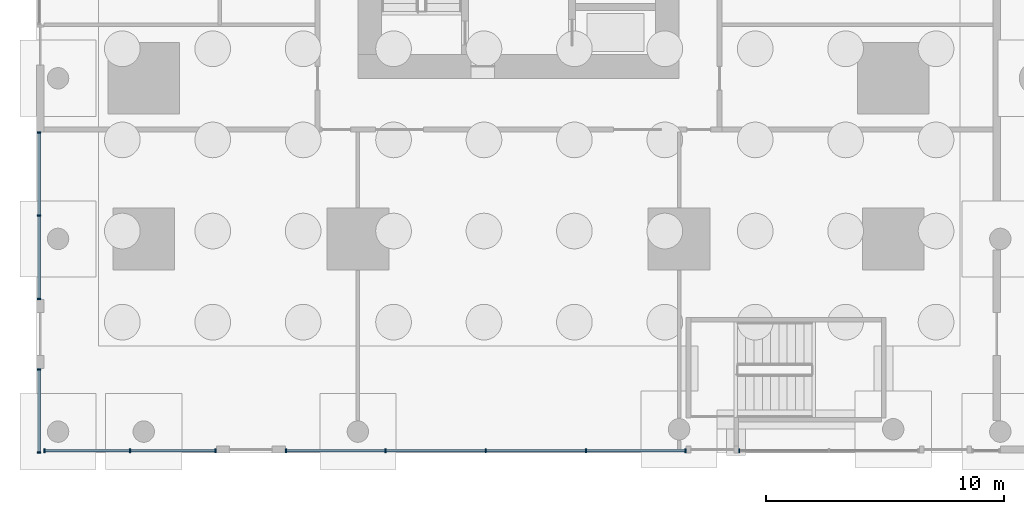
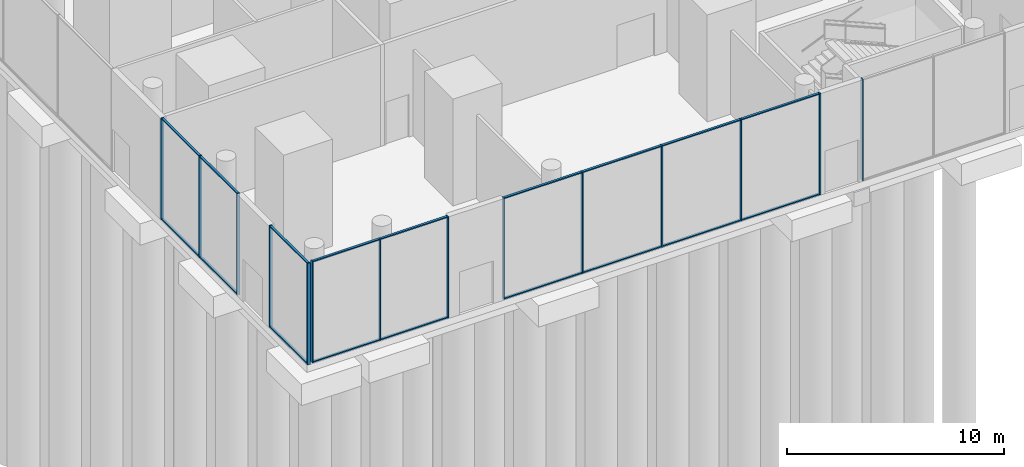
# One storey, part 3 of 31: 32 members, 5 elements without a shape of their own.
"""IFC4 building model written with IfcOpenShell, lengths in metres."""

from ifc_helpers import new_model, si_unit, direction, frame, origin, origin_2d, place, context, subcontext, project, spatial, rectangle, extrude, material, layer, layer_set, material_profile, profile_set, type_object, element, aggregate, save


model = new_model("IFC4")

# Units and contexts
model_context = context("Model", 3, precision=1e-05, world=origin(), true_north=direction((0.0, 1.0)))
body_context = subcontext(model_context, "Body", "Model", "MODEL_VIEW")
ifc_project = project(units=[si_unit("LENGTHUNIT", "METRE"), si_unit("AREAUNIT", "SQUARE_METRE"), si_unit("VOLUMEUNIT", "CUBIC_METRE"), si_unit("PLANEANGLEUNIT", "RADIAN"), si_unit("MASSUNIT", "GRAM", prefix="KILO")], contexts=[model_context])

# Site, building, storey
site_placement = place(None, origin())
site = spatial("IfcSite", under=ifc_project, at=site_placement, CompositionType="ELEMENT")
building_placement = place(site_placement, origin())
building = spatial("IfcBuilding", under=site, at=building_placement, Name="Namib Vertical Campus", CompositionType="ELEMENT")
storey_placement = place(building_placement, origin())
storey = spatial("IfcBuildingStorey", under=building, at=storey_placement, Name="L00", CompositionType="ELEMENT", Elevation=0.0)

# Curtain wall, members
ifc_material_1 = material(Name="Black aluminium curtain wall", Category="aluminium")
ifc_layer = layer(ifc_material_1, 0.199951171875)
ifc_layer_set = layer_set([ifc_layer], Name="Entrance curtain wall CW-EN")
curtain_wall_type = type_object("IfcCurtainWallType", Name="Entrance curtain wall CW-EN", PredefinedType="USERDEFINED", material=ifc_layer_set)
curtain_wall_1_placement = place(storey_placement, origin())
curtain_wall_1 = element("IfcCurtainWall", 1, at=curtain_wall_1_placement, inside=storey, type_object=curtain_wall_type, Name="Curtain wall CW-EN L00 1-1", ObjectType="CURTAIN WALL", PredefinedType="USERDEFINED")
ifc_material_2 = material(Name="Black anodised aluminium", Category="aluminium")
ifc_material_profile_1 = material_profile(ifc_material_2, rectangle(XDim=0.06005859375, YDim=0.159912109375, at=origin_2d()))
ifc_profile_set_1 = profile_set([ifc_material_profile_1], Name="Black anodised aluminium")
member_type_1 = type_object("IfcMemberType", Name="Curtain wall mullion 60x160", PredefinedType="MULLION", material=ifc_profile_set_1)
member_1_placement = place(storey_placement, frame((0.330078125, -4.39990234375, 0.0), z_axis=(0.0, 0.0, 1.0), x_axis=(1.0, 0.0, 0.0)))
member_1 = element("IfcMember", 2, at=member_1_placement, type_object=member_type_1, Name="CW-EN mullion 1", PredefinedType="MULLION", context=body_context, shape_type="SweptSolid", body=[
    extrude(rectangle(XDim=0.06005859375, YDim=0.159912109375, at=origin_2d()), origin(), (0.0, 0.0, 1.0), 5.699951171875),
])
member_2_placement = place(storey_placement, frame((3.925048828125, -4.39990234375, 0.0), z_axis=(0.0, 0.0, 1.0), x_axis=(1.0, 0.0, 0.0)))
member_2 = element("IfcMember", 3, at=member_2_placement, type_object=member_type_1, Name="CW-EN mullion 2", PredefinedType="MULLION", context=body_context, shape_type="SweptSolid", body=[
    extrude(rectangle(XDim=0.06005859375, YDim=0.159912109375, at=origin_2d()), origin(), (0.0, 0.0, 1.0), 5.699951171875),
])
member_3_placement = place(storey_placement, frame((7.52001953125, -4.39990234375, 0.0), z_axis=(0.0, 0.0, 1.0), x_axis=(1.0, 0.0, 0.0)))
member_3 = element("IfcMember", 4, at=member_3_placement, type_object=member_type_1, Name="CW-EN mullion 3", PredefinedType="MULLION", context=body_context, shape_type="SweptSolid", body=[
    extrude(rectangle(XDim=0.06005859375, YDim=0.159912109375, at=origin_2d()), origin(), (0.0, 0.0, 1.0), 5.699951171875),
])

curtain_wall_2_placement = place(storey_placement, origin())
curtain_wall_2 = element("IfcCurtainWall", 5, at=curtain_wall_2_placement, inside=storey, type_object=curtain_wall_type, Name="Curtain wall CW-EN L00 3-1", ObjectType="CURTAIN WALL", PredefinedType="USERDEFINED")
member_4_placement = place(storey_placement, frame((10.47998046875, -4.39990234375, 0.0), z_axis=(0.0, 0.0, 1.0), x_axis=(1.0, 0.0, 0.0)))
member_4 = element("IfcMember", 6, at=member_4_placement, type_object=member_type_1, Name="CW-EN mullion 1", PredefinedType="MULLION", context=body_context, shape_type="SweptSolid", body=[
    extrude(rectangle(XDim=0.06005859375, YDim=0.159912109375, at=origin_2d()), origin(), (0.0, 0.0, 1.0), 5.699951171875),
])
member_5_placement = place(storey_placement, frame((14.66259765625, -4.39990234375, 0.0), z_axis=(0.0, 0.0, 1.0), x_axis=(1.0, 0.0, 0.0)))
member_5 = element("IfcMember", 7, at=member_5_placement, type_object=member_type_1, Name="CW-EN mullion 2", PredefinedType="MULLION", context=body_context, shape_type="SweptSolid", body=[
    extrude(rectangle(XDim=0.06005859375, YDim=0.159912109375, at=origin_2d()), origin(), (0.0, 0.0, 1.0), 5.699951171875),
])
member_6_placement = place(storey_placement, frame((18.875, -4.39990234375, 0.0), z_axis=(0.0, 0.0, 1.0), x_axis=(1.0, 0.0, 0.0)))
member_6 = element("IfcMember", 8, at=member_6_placement, type_object=member_type_1, Name="CW-EN mullion 3", PredefinedType="MULLION", context=body_context, shape_type="SweptSolid", body=[
    extrude(rectangle(XDim=0.06005859375, YDim=0.159912109375, at=origin_2d()), origin(), (0.0, 0.0, 1.0), 5.699951171875),
])
member_7_placement = place(storey_placement, frame((23.08740234375, -4.39990234375, 0.0), z_axis=(0.0, 0.0, 1.0), x_axis=(1.0, 0.0, 0.0)))
member_7 = element("IfcMember", 9, at=member_7_placement, type_object=member_type_1, Name="CW-EN mullion 4", PredefinedType="MULLION", context=body_context, shape_type="SweptSolid", body=[
    extrude(rectangle(XDim=0.06005859375, YDim=0.159912109375, at=origin_2d()), origin(), (0.0, 0.0, 1.0), 5.699951171875),
])
member_8_placement = place(storey_placement, frame((27.27001953125, -4.39990234375, 0.0), z_axis=(0.0, 0.0, 1.0), x_axis=(1.0, 0.0, 0.0)))
member_8 = element("IfcMember", 10, at=member_8_placement, type_object=member_type_1, Name="CW-EN mullion 5", PredefinedType="MULLION", context=body_context, shape_type="SweptSolid", body=[
    extrude(rectangle(XDim=0.06005859375, YDim=0.159912109375, at=origin_2d()), origin(), (0.0, 0.0, 1.0), 5.699951171875),
])

# Curtain wall, member
curtain_wall_3_placement = place(storey_placement, origin())
curtain_wall_3 = element("IfcCurtainWall", 11, at=curtain_wall_3_placement, inside=storey, type_object=curtain_wall_type, Name="Curtain wall CW-EN L00 5-1", ObjectType="CURTAIN WALL", PredefinedType="USERDEFINED")
member_9_placement = place(storey_placement, frame((29.530029296875, -4.39990234375, 0.0), z_axis=(0.0, 0.0, 1.0), x_axis=(1.0, 0.0, 0.0)))
member_9 = element("IfcMember", 12, at=member_9_placement, type_object=member_type_1, Name="CW-EN mullion 1", PredefinedType="MULLION", context=body_context, shape_type="SweptSolid", body=[
    extrude(rectangle(XDim=0.06005859375, YDim=0.159912109375, at=origin_2d()), origin(), (0.0, 0.0, 1.0), 5.699951171875),
])
aggregate(curtain_wall_3, [member_9])

# Curtain wall, members
curtain_wall_4_placement = place(storey_placement, origin())
curtain_wall_4 = element("IfcCurtainWall", 13, at=curtain_wall_4_placement, inside=storey, type_object=curtain_wall_type, Name="Curtain wall CW-EN L00 1-1", ObjectType="CURTAIN WALL", PredefinedType="USERDEFINED")
member_10_placement = place(storey_placement, frame((0.10009765625, -0.97998046875, 0.0), z_axis=(0.0, 0.0, 1.0), x_axis=(0.0, -1.0, 0.0)))
member_10 = element("IfcMember", 14, at=member_10_placement, type_object=member_type_1, Name="CW-EN mullion 1", PredefinedType="MULLION", context=body_context, shape_type="SweptSolid", body=[
    extrude(rectangle(XDim=0.06005859375, YDim=0.159912109375, at=origin_2d()), origin(), (0.0, 0.0, 1.0), 5.699951171875),
])
member_11_placement = place(storey_placement, frame((0.10009765625, -4.469970703125, 0.0), z_axis=(0.0, 0.0, 1.0), x_axis=(0.0, -1.0, 0.0)))
member_11 = element("IfcMember", 15, at=member_11_placement, type_object=member_type_1, Name="CW-EN mullion 2", PredefinedType="MULLION", context=body_context, shape_type="SweptSolid", body=[
    extrude(rectangle(XDim=0.06005859375, YDim=0.159912109375, at=origin_2d()), origin(), (0.0, 0.0, 1.0), 5.699951171875),
])

curtain_wall_5_placement = place(storey_placement, origin())
curtain_wall_5 = element("IfcCurtainWall", 16, at=curtain_wall_5_placement, inside=storey, type_object=curtain_wall_type, Name="Curtain wall CW-EN L00 3-1", ObjectType="CURTAIN WALL", PredefinedType="USERDEFINED")
member_12_placement = place(storey_placement, frame((0.10009765625, 8.969970703125, 0.0), z_axis=(0.0, 0.0, 1.0), x_axis=(0.0, -1.0, 0.0)))
member_12 = element("IfcMember", 17, at=member_12_placement, type_object=member_type_1, Name="CW-EN mullion 1", PredefinedType="MULLION", context=body_context, shape_type="SweptSolid", body=[
    extrude(rectangle(XDim=0.06005859375, YDim=0.159912109375, at=origin_2d()), origin(), (0.0, 0.0, 1.0), 5.699951171875),
])
member_13_placement = place(storey_placement, frame((0.10009765625, 5.47509765625, 0.0), z_axis=(0.0, 0.0, 1.0), x_axis=(0.0, -1.0, 0.0)))
member_13 = element("IfcMember", 18, at=member_13_placement, type_object=member_type_1, Name="CW-EN mullion 2", PredefinedType="MULLION", context=body_context, shape_type="SweptSolid", body=[
    extrude(rectangle(XDim=0.06005859375, YDim=0.159912109375, at=origin_2d()), origin(), (0.0, 0.0, 1.0), 5.699951171875),
])
member_14_placement = place(storey_placement, frame((0.10009765625, 1.97998046875, 0.0), z_axis=(0.0, 0.0, 1.0), x_axis=(0.0, -1.0, 0.0)))
member_14 = element("IfcMember", 19, at=member_14_placement, type_object=member_type_1, Name="CW-EN mullion 3", PredefinedType="MULLION", context=body_context, shape_type="SweptSolid", body=[
    extrude(rectangle(XDim=0.06005859375, YDim=0.159912109375, at=origin_2d()), origin(), (0.0, 0.0, 1.0), 5.699951171875),
])

# Member
ifc_material_3 = material(Name="Black anodised aluminium", Category="aluminium")
ifc_material_profile_2 = material_profile(ifc_material_3, rectangle(XDim=0.06005859375, YDim=0.1201171875, at=origin_2d()))
ifc_profile_set_2 = profile_set([ifc_material_profile_2], Name="Black anodised aluminium")
member_type_2 = type_object("IfcMemberType", Name="Curtain wall transom 60x120", PredefinedType="USERDEFINED", material=ifc_profile_set_2)
member_15_placement = place(storey_placement, frame((0.360107421875, -4.39990234375, 0.030029296875), z_axis=(1.0, 0.0, 0.0), x_axis=(0.0, 0.0, 1.0)))
member_15 = element("IfcMember", 20, at=member_15_placement, type_object=member_type_2, Name="CW-EN transom 1.1", ObjectType="TRANSOM", PredefinedType="USERDEFINED", context=body_context, shape_type="SweptSolid", body=[
    extrude(rectangle(XDim=0.06005859375, YDim=0.1201171875, at=origin_2d()), origin(), (0.0, 0.0, 1.0), 3.534912109375),
])

member_16_placement = place(storey_placement, frame((0.360107421875, -4.39990234375, 5.669921875), z_axis=(1.0, 0.0, 0.0), x_axis=(0.0, 0.0, 1.0)))
member_16 = element("IfcMember", 21, at=member_16_placement, type_object=member_type_2, Name="CW-EN transom 1.2", ObjectType="TRANSOM", PredefinedType="USERDEFINED", context=body_context, shape_type="SweptSolid", body=[
    extrude(rectangle(XDim=0.06005859375, YDim=0.1201171875, at=origin_2d()), origin(), (0.0, 0.0, 1.0), 3.534912109375),
])

member_17_placement = place(storey_placement, frame((3.955078125, -4.39990234375, 0.030029296875), z_axis=(1.0, 0.0, 0.0), x_axis=(0.0, 0.0, 1.0)))
member_17 = element("IfcMember", 22, at=member_17_placement, type_object=member_type_2, Name="CW-EN transom 2.1", ObjectType="TRANSOM", PredefinedType="USERDEFINED", context=body_context, shape_type="SweptSolid", body=[
    extrude(rectangle(XDim=0.06005859375, YDim=0.1201171875, at=origin_2d()), origin(), (0.0, 0.0, 1.0), 3.534912109375),
])

member_18_placement = place(storey_placement, frame((3.955078125, -4.39990234375, 5.669921875), z_axis=(1.0, 0.0, 0.0), x_axis=(0.0, 0.0, 1.0)))
member_18 = element("IfcMember", 23, at=member_18_placement, type_object=member_type_2, Name="CW-EN transom 2.2", ObjectType="TRANSOM", PredefinedType="USERDEFINED", context=body_context, shape_type="SweptSolid", body=[
    extrude(rectangle(XDim=0.06005859375, YDim=0.1201171875, at=origin_2d()), origin(), (0.0, 0.0, 1.0), 3.534912109375),
])

aggregate(curtain_wall_1, [member_1, member_2, member_3, member_15, member_16, member_17, member_18])

member_19_placement = place(storey_placement, frame((10.510009765625, -4.39990234375, 0.030029296875), z_axis=(1.0, 0.0, 0.0), x_axis=(0.0, 0.0, 1.0)))
member_19 = element("IfcMember", 24, at=member_19_placement, type_object=member_type_2, Name="CW-EN transom 1.1", ObjectType="TRANSOM", PredefinedType="USERDEFINED", context=body_context, shape_type="SweptSolid", body=[
    extrude(rectangle(XDim=0.06005859375, YDim=0.1201171875, at=origin_2d()), origin(), (0.0, 0.0, 1.0), 4.12255859375),
])

member_20_placement = place(storey_placement, frame((10.510009765625, -4.39990234375, 5.669921875), z_axis=(1.0, 0.0, 0.0), x_axis=(0.0, 0.0, 1.0)))
member_20 = element("IfcMember", 25, at=member_20_placement, type_object=member_type_2, Name="CW-EN transom 1.2", ObjectType="TRANSOM", PredefinedType="USERDEFINED", context=body_context, shape_type="SweptSolid", body=[
    extrude(rectangle(XDim=0.06005859375, YDim=0.1201171875, at=origin_2d()), origin(), (0.0, 0.0, 1.0), 4.12255859375),
])

member_21_placement = place(storey_placement, frame((14.6923828125, -4.39990234375, 0.030029296875), z_axis=(1.0, 0.0, 0.0), x_axis=(0.0, 0.0, 1.0)))
member_21 = element("IfcMember", 26, at=member_21_placement, type_object=member_type_2, Name="CW-EN transom 2.1", ObjectType="TRANSOM", PredefinedType="USERDEFINED", context=body_context, shape_type="SweptSolid", body=[
    extrude(rectangle(XDim=0.06005859375, YDim=0.1201171875, at=origin_2d()), origin(), (0.0, 0.0, 1.0), 4.152587890625),
])

member_22_placement = place(storey_placement, frame((14.6923828125, -4.39990234375, 5.669921875), z_axis=(1.0, 0.0, 0.0), x_axis=(0.0, 0.0, 1.0)))
member_22 = element("IfcMember", 27, at=member_22_placement, type_object=member_type_2, Name="CW-EN transom 2.2", ObjectType="TRANSOM", PredefinedType="USERDEFINED", context=body_context, shape_type="SweptSolid", body=[
    extrude(rectangle(XDim=0.06005859375, YDim=0.1201171875, at=origin_2d()), origin(), (0.0, 0.0, 1.0), 4.152587890625),
])

member_23_placement = place(storey_placement, frame((18.905029296875, -4.39990234375, 0.030029296875), z_axis=(1.0, 0.0, 0.0), x_axis=(0.0, 0.0, 1.0)))
member_23 = element("IfcMember", 28, at=member_23_placement, type_object=member_type_2, Name="CW-EN transom 3.1", ObjectType="TRANSOM", PredefinedType="USERDEFINED", context=body_context, shape_type="SweptSolid", body=[
    extrude(rectangle(XDim=0.06005859375, YDim=0.1201171875, at=origin_2d()), origin(), (0.0, 0.0, 1.0), 4.152587890625),
])

member_24_placement = place(storey_placement, frame((18.905029296875, -4.39990234375, 5.669921875), z_axis=(1.0, 0.0, 0.0), x_axis=(0.0, 0.0, 1.0)))
member_24 = element("IfcMember", 29, at=member_24_placement, type_object=member_type_2, Name="CW-EN transom 3.2", ObjectType="TRANSOM", PredefinedType="USERDEFINED", context=body_context, shape_type="SweptSolid", body=[
    extrude(rectangle(XDim=0.06005859375, YDim=0.1201171875, at=origin_2d()), origin(), (0.0, 0.0, 1.0), 4.152587890625),
])

member_25_placement = place(storey_placement, frame((23.117431640625, -4.39990234375, 0.030029296875), z_axis=(1.0, 0.0, 0.0), x_axis=(0.0, 0.0, 1.0)))
member_25 = element("IfcMember", 30, at=member_25_placement, type_object=member_type_2, Name="CW-EN transom 4.1", ObjectType="TRANSOM", PredefinedType="USERDEFINED", context=body_context, shape_type="SweptSolid", body=[
    extrude(rectangle(XDim=0.06005859375, YDim=0.1201171875, at=origin_2d()), origin(), (0.0, 0.0, 1.0), 4.12255859375),
])

member_26_placement = place(storey_placement, frame((23.117431640625, -4.39990234375, 5.669921875), z_axis=(1.0, 0.0, 0.0), x_axis=(0.0, 0.0, 1.0)))
member_26 = element("IfcMember", 31, at=member_26_placement, type_object=member_type_2, Name="CW-EN transom 4.2", ObjectType="TRANSOM", PredefinedType="USERDEFINED", context=body_context, shape_type="SweptSolid", body=[
    extrude(rectangle(XDim=0.06005859375, YDim=0.1201171875, at=origin_2d()), origin(), (0.0, 0.0, 1.0), 4.12255859375),
])

aggregate(curtain_wall_2, [member_4, member_5, member_6, member_7, member_8, member_19, member_20, member_21, member_22, member_23, member_24, member_25, member_26])

member_27_placement = place(storey_placement, frame((0.10009765625, -1.010009765625, 0.030029296875), z_axis=(0.0, -1.0, 0.0), x_axis=(0.0, 0.0, 1.0)))
member_27 = element("IfcMember", 32, at=member_27_placement, type_object=member_type_2, Name="CW-EN transom 1.1", ObjectType="TRANSOM", PredefinedType="USERDEFINED", context=body_context, shape_type="SweptSolid", body=[
    extrude(rectangle(XDim=0.06005859375, YDim=0.1201171875, at=origin_2d()), origin(), (0.0, 0.0, 1.0), 3.429931640625),
])

member_28_placement = place(storey_placement, frame((0.10009765625, -1.010009765625, 5.669921875), z_axis=(0.0, -1.0, 0.0), x_axis=(0.0, 0.0, 1.0)))
member_28 = element("IfcMember", 33, at=member_28_placement, type_object=member_type_2, Name="CW-EN transom 1.2", ObjectType="TRANSOM", PredefinedType="USERDEFINED", context=body_context, shape_type="SweptSolid", body=[
    extrude(rectangle(XDim=0.06005859375, YDim=0.1201171875, at=origin_2d()), origin(), (0.0, 0.0, 1.0), 3.429931640625),
])

aggregate(curtain_wall_4, [member_10, member_11, member_27, member_28])

member_29_placement = place(storey_placement, frame((0.10009765625, 8.93994140625, 0.030029296875), z_axis=(0.0, -1.0, 0.0), x_axis=(0.0, 0.0, 1.0)))
member_29 = element("IfcMember", 34, at=member_29_placement, type_object=member_type_2, Name="CW-EN transom 1.1", ObjectType="TRANSOM", PredefinedType="USERDEFINED", context=body_context, shape_type="SweptSolid", body=[
    extrude(rectangle(XDim=0.06005859375, YDim=0.1201171875, at=origin_2d()), origin(), (0.0, 0.0, 1.0), 3.43505859375),
])

member_30_placement = place(storey_placement, frame((0.10009765625, 8.93994140625, 5.669921875), z_axis=(0.0, -1.0, 0.0), x_axis=(0.0, 0.0, 1.0)))
member_30 = element("IfcMember", 35, at=member_30_placement, type_object=member_type_2, Name="CW-EN transom 1.2", ObjectType="TRANSOM", PredefinedType="USERDEFINED", context=body_context, shape_type="SweptSolid", body=[
    extrude(rectangle(XDim=0.06005859375, YDim=0.1201171875, at=origin_2d()), origin(), (0.0, 0.0, 1.0), 3.43505859375),
])

member_31_placement = place(storey_placement, frame((0.10009765625, 5.445068359375, 0.030029296875), z_axis=(0.0, -1.0, 0.0), x_axis=(0.0, 0.0, 1.0)))
member_31 = element("IfcMember", 36, at=member_31_placement, type_object=member_type_2, Name="CW-EN transom 2.1", ObjectType="TRANSOM", PredefinedType="USERDEFINED", context=body_context, shape_type="SweptSolid", body=[
    extrude(rectangle(XDim=0.06005859375, YDim=0.1201171875, at=origin_2d()), origin(), (0.0, 0.0, 1.0), 3.43505859375),
])

member_32_placement = place(storey_placement, frame((0.10009765625, 5.445068359375, 5.669921875), z_axis=(0.0, -1.0, 0.0), x_axis=(0.0, 0.0, 1.0)))
member_32 = element("IfcMember", 37, at=member_32_placement, type_object=member_type_2, Name="CW-EN transom 2.2", ObjectType="TRANSOM", PredefinedType="USERDEFINED", context=body_context, shape_type="SweptSolid", body=[
    extrude(rectangle(XDim=0.06005859375, YDim=0.1201171875, at=origin_2d()), origin(), (0.0, 0.0, 1.0), 3.43505859375),
])

aggregate(curtain_wall_5, [member_12, member_13, member_14, member_29, member_30, member_31, member_32])

save(model, "model.ifc")
